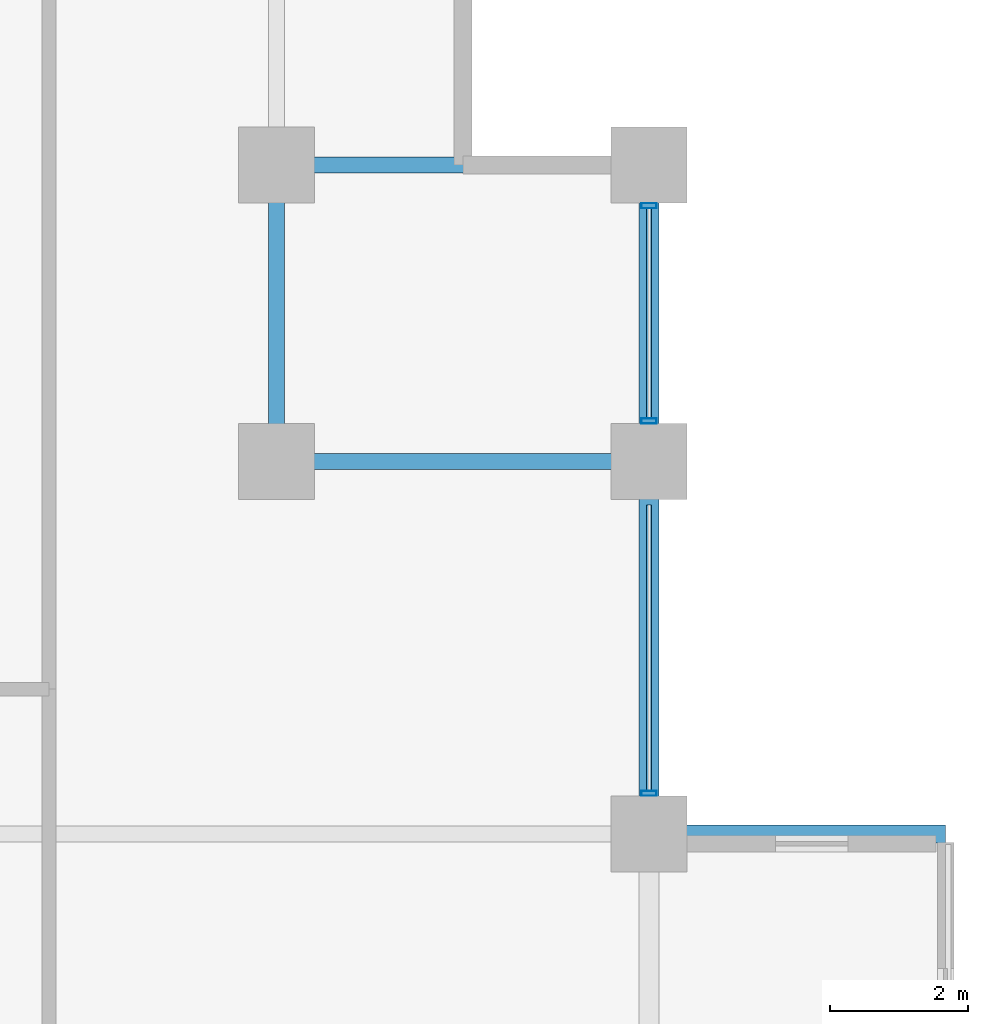
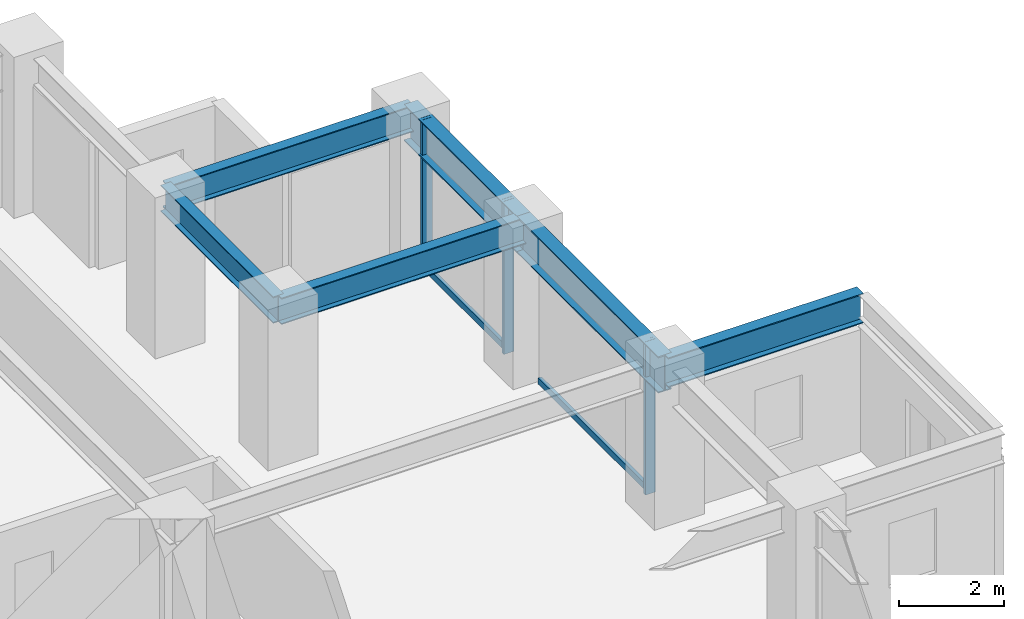
# One storey, part 17 of 29: 6 beams, 5 members, 1 element without a shape of its own.
"""IFC4 building model written with IfcOpenShell, lengths in metres."""

from ifc_helpers import new_model, si_unit, direction, frame, origin, origin_2d, place, context, subcontext, project, spatial, hollow_rectangle, i_section, extrude, material, layer, layer_set, material_profile, profile_set, type_object, element, aggregate, save


model = new_model("IFC4")

# Units and contexts
model_context = context("Model", 3, precision=1e-05, world=origin(), true_north=direction((0.0, 1.0)))
body_context = subcontext(model_context, "Body", "Model", "MODEL_VIEW")
ifc_project = project(units=[si_unit("LENGTHUNIT", "METRE"), si_unit("AREAUNIT", "SQUARE_METRE"), si_unit("VOLUMEUNIT", "CUBIC_METRE"), si_unit("PLANEANGLEUNIT", "RADIAN"), si_unit("MASSUNIT", "GRAM", prefix="KILO")], contexts=[model_context])

# Site, building, storey
site_placement = place(None, origin())
site = spatial("IfcSite", under=ifc_project, at=site_placement, CompositionType="ELEMENT")
building_placement = place(site_placement, origin())
building = spatial("IfcBuilding", under=site, at=building_placement, Name="Surkhivell Harbour Commons", CompositionType="ELEMENT")
storey_placement = place(building_placement, frame((0.0, 0.0, 90.75)))
storey = spatial("IfcBuildingStorey", under=building, at=storey_placement, Name="L23", CompositionType="ELEMENT", Elevation=90.75)

# Beams
ifc_material_1 = material(Name="Steel S460", Category="steel")
ifc_material_profile_1 = material_profile(ifc_material_1, i_section(OverallWidth=0.256103515625, OverallDepth=0.693115234375, WebThickness=0.014404296875, FlangeThickness=0.023681640625, at=origin_2d()), Name="UB686x254x170")
ifc_profile_set_1 = profile_set([ifc_material_profile_1], Name="Steel S460")
beam_type_1 = type_object("IfcBeamType", Name="BM-CNT-686", PredefinedType="BEAM", material=ifc_profile_set_1)
beam_1_placement = place(storey_placement, frame((21.60009765625, 10.800048828125, 3.223388671875), z_axis=(1.0, 0.0, 0.0), x_axis=(0.0, 1.0, 0.0)))
element("IfcBeam", 1, at=beam_1_placement, inside=storey, type_object=beam_type_1, Name="L23 Box Cantilever Outrigger (21.6,10.8)", PredefinedType="BEAM", context=body_context, shape_type="SweptSolid", body=[
    extrude(i_section(OverallWidth=0.256103515625, OverallDepth=0.693115234375, WebThickness=0.014404296875, FlangeThickness=0.023681640625, at=origin_2d()), origin(), (0.0, 0.0, 1.0), 4.2998046875),
])
ifc_material_2 = material(Name="Steel S355", Category="steel")
ifc_material_profile_2 = material_profile(ifc_material_2, i_section(OverallWidth=0.22998046875, OverallDepth=0.616943359375, WebThickness=0.01318359375, FlangeThickness=0.022216796875, at=origin_2d()), Name="UB610x229x140")
ifc_profile_set_2 = profile_set([ifc_material_profile_2], Name="Steel S355")
beam_type_2 = type_object("IfcBeamType", Name="BM-GRD-610B", PredefinedType="BEAM", material=ifc_profile_set_2)
beam_2_placement = place(storey_placement, frame((16.199951171875, 16.199951171875, 3.261474609375), z_axis=(0.0, 1.0, 0.0), x_axis=(-1.0, 0.0, 0.0)))
element("IfcBeam", 2, at=beam_2_placement, inside=storey, type_object=beam_type_2, Name="L23 Floor Girder (16.2,16.2)", PredefinedType="BEAM", context=body_context, shape_type="SweptSolid", body=[
    extrude(i_section(OverallWidth=0.22998046875, OverallDepth=0.616943359375, WebThickness=0.01318359375, FlangeThickness=0.022216796875, at=origin_2d()), origin(), (0.0, 0.0, 1.0), 4.300048828125),
])
for number, where, z_axis, x_axis, name in (
    (3, (16.199951171875, 16.199951171875, 3.261474609375), (1.0, 0.0, 0.0), (0.0, 1.0, 0.0), "L23 Floor Girder (16.2,16.2)"),
    (4, (16.199951171875, 20.5, 3.261474609375), (1.0, 0.0, 0.0), (0.0, 1.0, 0.0), "L23 Floor Girder (16.2,20.5)"),
):
    element("IfcBeam", number, at=place(storey_placement, frame(where, z_axis=z_axis, x_axis=x_axis)), inside=storey, type_object=beam_type_2, Name=name, PredefinedType="BEAM", context=body_context, shape_type="SweptSolid", body=[
        extrude(i_section(OverallWidth=0.22998046875, OverallDepth=0.616943359375, WebThickness=0.01318359375, FlangeThickness=0.022216796875, at=origin_2d()), origin(), (0.0, 0.0, 1.0), 5.400146484375),
    ])
ifc_material_profile_3 = material_profile(ifc_material_1, i_section(OverallWidth=0.2939453125, OverallDepth=0.85107421875, WebThickness=0.01611328125, FlangeThickness=0.02685546875, at=origin_2d()), Name="UB838x292x226")
ifc_profile_set_3 = profile_set([ifc_material_profile_3], Name="Steel S460")
beam_type_3 = type_object("IfcBeamType", Name="BM-SPN-838", PredefinedType="SPANDREL", material=ifc_profile_set_3)
beam_3_placement = place(storey_placement, frame((21.60009765625, 10.800048828125, 3.14453125), z_axis=(0.0, 1.0, 0.0), x_axis=(-1.0, 0.0, 0.0)))
element("IfcBeam", 5, at=beam_3_placement, inside=storey, type_object=beam_type_3, Name="L23 Tube Spandrel (21.6,10.8)", PredefinedType="SPANDREL", context=body_context, shape_type="SweptSolid", body=[
    extrude(i_section(OverallWidth=0.2939453125, OverallDepth=0.85107421875, WebThickness=0.01611328125, FlangeThickness=0.02685546875, at=origin_2d()), origin(), (0.0, 0.0, 1.0), 5.39990234375),
])
beam_4_placement = place(storey_placement, frame((21.60009765625, 16.199951171875, 3.14453125), z_axis=(0.0, 1.0, 0.0), x_axis=(-1.0, 0.0, 0.0)))
element("IfcBeam", 6, at=beam_4_placement, inside=storey, type_object=beam_type_3, Name="L23 Tube Spandrel (21.6,16.2)", PredefinedType="SPANDREL", context=body_context, shape_type="SweptSolid", body=[
    extrude(i_section(OverallWidth=0.2939453125, OverallDepth=0.85107421875, WebThickness=0.01611328125, FlangeThickness=0.02685546875, at=origin_2d()), origin(), (0.0, 0.0, 1.0), 4.300048828125),
])

# Curtain wall, members
ifc_material_3 = material(Name="Anodised pale-metal aluminium and insulated glazing", Category="aluminium")
ifc_layer = layer(ifc_material_3, 0.205078125)
ifc_layer_set = layer_set([ifc_layer], Name="Anodised pale-metal aluminium and insulated glazing")
curtain_wall_type = type_object("IfcCurtainWallType", Name="CW-SYS-Z2", PredefinedType="NOTDEFINED", material=ifc_layer_set)
curtain_wall_placement = place(storey_placement, origin())
curtain_wall = element("IfcCurtainWall", 7, at=curtain_wall_placement, inside=storey, type_object=curtain_wall_type, Name="L23 Curtain Wall CW-L23-E02R2", PredefinedType="NOTDEFINED")
ifc_material_4 = material(Name="Anodised pale-metal aluminium alloy 6063-T6", Category="aluminium")
ifc_material_profile_4 = material_profile(ifc_material_4, hollow_rectangle(XDim=0.074951171875, YDim=0.219970703125, WallThickness=0.00390625, at=origin_2d()), Name="ALU-MULL-75x220")
ifc_profile_set_4 = profile_set([ifc_material_profile_4], Name="Anodised pale-metal aluminium alloy 6063-T6")
member_type_1 = type_object("IfcMemberType", Name="CWM-220", PredefinedType="MULLION", material=ifc_profile_set_4)
member_1_placement = place(storey_placement, frame((21.60009765625, 11.389404296875, 0.0), z_axis=(0.0, 0.0, 1.0), x_axis=(0.0, 1.0, 0.0)))
member_1 = element("IfcMember", 8, at=member_1_placement, type_object=member_type_1, Name="CW-Z2 mullion 1", PredefinedType="MULLION", context=body_context, shape_type="SweptSolid", body=[
    extrude(hollow_rectangle(XDim=0.074951171875, YDim=0.219970703125, WallThickness=0.00390625, at=origin_2d()), origin(), (0.0, 0.0, 1.0), 3.570068359375),
])
member_2_placement = place(storey_placement, frame((21.60009765625, 16.78955078125, 0.0), z_axis=(0.0, 0.0, 1.0), x_axis=(0.0, 1.0, 0.0)))
member_2 = element("IfcMember", 9, at=member_2_placement, type_object=member_type_1, Name="CW-Z2 mullion 2", PredefinedType="MULLION", context=body_context, shape_type="SweptSolid", body=[
    extrude(hollow_rectangle(XDim=0.074951171875, YDim=0.219970703125, WallThickness=0.00390625, at=origin_2d()), origin(), (0.0, 0.0, 1.0), 3.570068359375),
])
member_3_placement = place(storey_placement, frame((21.60009765625, 19.910400390625, 0.0), z_axis=(0.0, 0.0, 1.0), x_axis=(0.0, 1.0, 0.0)))
member_3 = element("IfcMember", 10, at=member_3_placement, type_object=member_type_1, Name="CW-Z2 mullion 3", PredefinedType="MULLION", context=body_context, shape_type="SweptSolid", body=[
    extrude(hollow_rectangle(XDim=0.074951171875, YDim=0.219970703125, WallThickness=0.00390625, at=origin_2d()), origin(), (0.0, 0.0, 1.0), 3.570068359375),
])
ifc_material_profile_5 = material_profile(ifc_material_4, hollow_rectangle(XDim=0.074951171875, YDim=0.14990234375, WallThickness=0.00341796875, at=origin_2d()), Name="ALU-TRAN-75x150")
ifc_profile_set_5 = profile_set([ifc_material_profile_5], Name="Anodised pale-metal aluminium alloy 6063-T6")
member_type_2 = type_object("IfcMemberType", Name="CWT-150", PredefinedType="USERDEFINED", material=ifc_profile_set_5)
member_4_placement = place(storey_placement, frame((21.60009765625, 11.427001953125, 0.074951171875), z_axis=(0.0, 1.0, 0.0), x_axis=(-1.0, 0.0, 0.0)))
member_4 = element("IfcMember", 11, at=member_4_placement, type_object=member_type_2, Name="CW-Z2 transom 1.1", ObjectType="TRANSOM", PredefinedType="USERDEFINED", context=body_context, shape_type="SweptSolid", body=[
    extrude(hollow_rectangle(XDim=0.074951171875, YDim=0.14990234375, WallThickness=0.00341796875, at=origin_2d()), origin(), (0.0, 0.0, 1.0), 4.14599609375),
])
member_5_placement = place(storey_placement, frame((21.60009765625, 16.826904296875, 0.074951171875), z_axis=(0.0, 1.0, 0.0), x_axis=(-1.0, 0.0, 0.0)))
member_5 = element("IfcMember", 12, at=member_5_placement, type_object=member_type_2, Name="CW-Z2 transom 2.1", ObjectType="TRANSOM", PredefinedType="USERDEFINED", context=body_context, shape_type="SweptSolid", body=[
    extrude(hollow_rectangle(XDim=0.074951171875, YDim=0.14990234375, WallThickness=0.00341796875, at=origin_2d()), origin(), (0.0, 0.0, 1.0), 3.046142578125),
])
aggregate(curtain_wall, [member_1, member_4, member_2, member_3, member_5])

save(model, "model.ifc")
